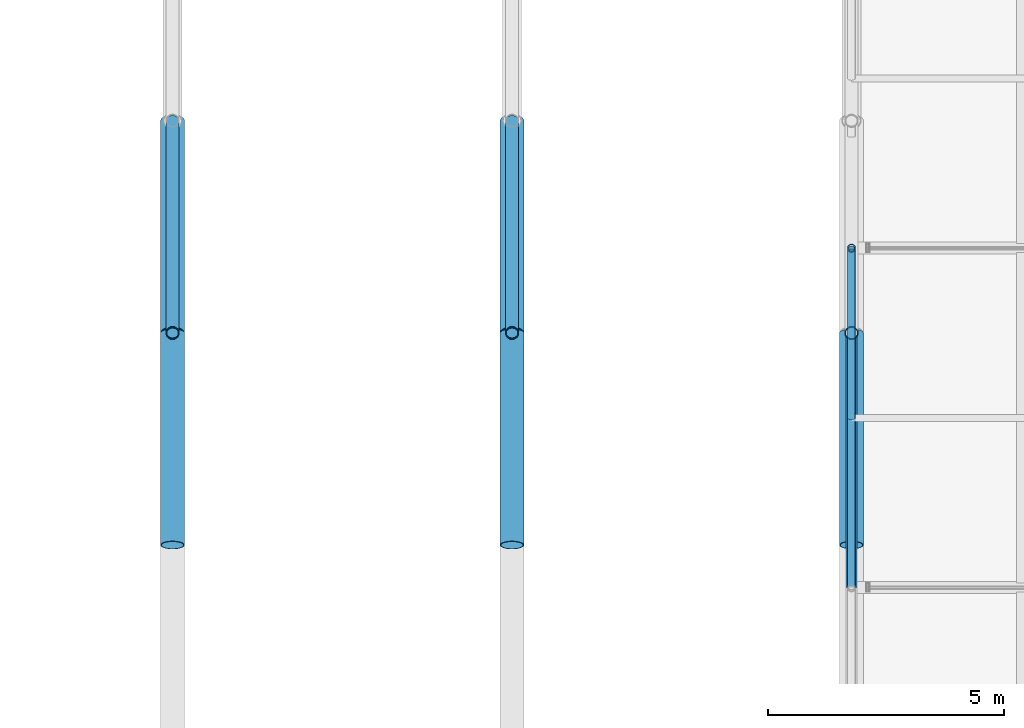
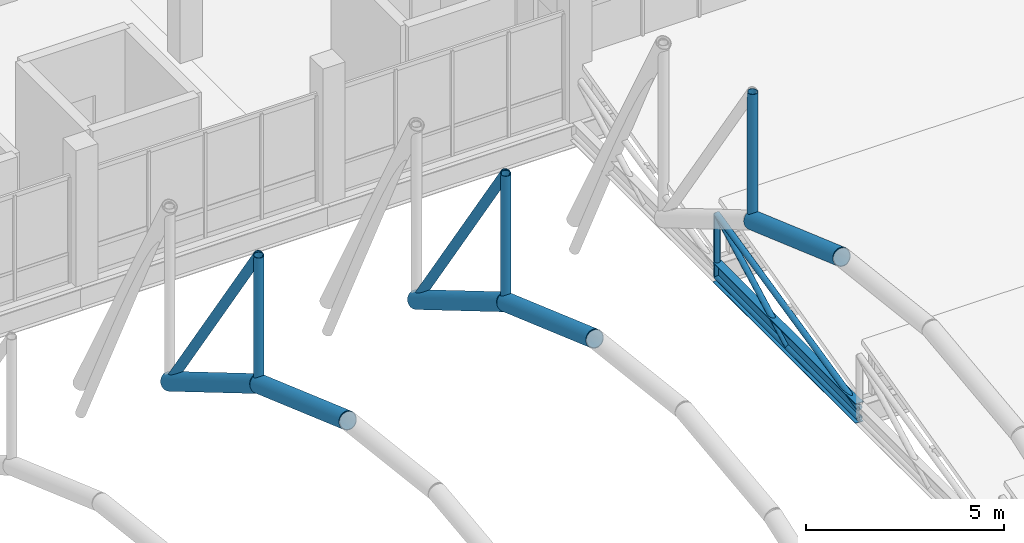
# One storey, part 43 of 144: 14 members, 1 beam.
"""IFC4 building model written with IfcOpenShell, lengths in metres."""

from ifc_helpers import new_model, si_unit, direction, frame, origin, origin_2d, place, context, subcontext, project, spatial, hollow_circle, i_section, extrude, material, material_profile, profile_set, type_object, element, save


model = new_model("IFC4")

# Units and contexts
model_context = context("Model", 3, precision=1e-05, world=origin(), true_north=direction((0.0, 1.0)))
body_context = subcontext(model_context, "Body", "Model", "MODEL_VIEW")
ifc_project = project(units=[si_unit("LENGTHUNIT", "METRE"), si_unit("AREAUNIT", "SQUARE_METRE"), si_unit("VOLUMEUNIT", "CUBIC_METRE"), si_unit("PLANEANGLEUNIT", "RADIAN"), si_unit("MASSUNIT", "GRAM", prefix="KILO")], contexts=[model_context])

# Site, building, storey
site_placement = place(None, origin())
site = spatial("IfcSite", under=ifc_project, at=site_placement, CompositionType="ELEMENT")
building_placement = place(site_placement, origin())
building = spatial("IfcBuilding", under=site, at=building_placement, Name="Yarey Park Central Fire Station", CompositionType="ELEMENT")
storey_placement = place(building_placement, frame((0.0, 0.0, 10.199951171875)))
storey = spatial("IfcBuildingStorey", under=building, at=storey_placement, Name="L03", CompositionType="ELEMENT", Elevation=10.199951171875)

# Beam
ifc_material_1 = material(Name="Steel ASTM A992 Gr. 50", Category="steel")
ifc_material_profile_1 = material_profile(ifc_material_1, i_section(OverallWidth=0.22900390625, OverallDepth=0.612060546875, WebThickness=0.011962890625, FlangeThickness=0.01953125, at=origin_2d()), Name="W610x125")
ifc_profile_set_1 = profile_set([ifc_material_profile_1], Name="Steel ASTM A992 Gr. 50")
beam_type = type_object("IfcBeamType", Name="STR_BM_W610", PredefinedType="BEAM", material=ifc_profile_set_1)
beam_placement = place(storey_placement, frame((136.800048828125, 79.199951171875, -0.48583984375), z_axis=(0.0, 1.0, 0.0), x_axis=(-1.0, 0.0, 0.0)))
element("IfcBeam", 1, at=beam_placement, inside=storey, type_object=beam_type, Name="BMY L03 X1368 Y792", PredefinedType="BEAM", context=body_context, shape_type="SweptSolid", body=[
    extrude(i_section(OverallWidth=0.22900390625, OverallDepth=0.612060546875, WebThickness=0.011962890625, FlangeThickness=0.01953125, at=origin_2d()), origin(), (0.0, 0.0, 1.0), 7.199951171875),
])

# Members
ifc_material_2 = material(Name="Steel ASTM A500 Gr. C", Category="steel")
ifc_material_profile_2 = material_profile(ifc_material_2, hollow_circle(Radius=0.084228515625, WallThickness=0.008056640625, at=origin_2d()), Name="CHS 168.3x8")
ifc_profile_set_2 = profile_set([ifc_material_profile_2], Name="Steel ASTM A500 Gr. C")
member_type_1 = type_object("IfcMemberType", Name="STR_CHORD_CHS168", PredefinedType="CHORD", material=ifc_profile_set_2)
member_1_placement = place(storey_placement, frame((136.800048828125, 79.199951171875, -0.64990234375), z_axis=(0.0, 1.0, 0.0), x_axis=(-1.0, 0.0, 0.0)))
element("IfcMember", 2, at=member_1_placement, inside=storey, type_object=member_type_1, Name="SAW_T1_B6_BC", PredefinedType="CHORD", context=body_context, shape_type="SweptSolid", body=[
    extrude(hollow_circle(Radius=0.084228515625, WallThickness=0.008056640625, at=origin_2d()), origin(), (0.0, 0.0, 1.0), 7.199951171875),
])
member_2_placement = place(storey_placement, frame((136.800048828125, 79.199951171875, -0.349853515625), z_axis=(0.0, 0.975464150349, 0.220158332533), x_axis=(-1.0, 0.0, 0.0)))
element("IfcMember", 3, at=member_2_placement, inside=storey, type_object=member_type_1, Name="SAW_T1_B6_TC", PredefinedType="CHORD", context=body_context, shape_type="SweptSolid", body=[
    extrude(hollow_circle(Radius=0.084228515625, WallThickness=0.008056640625, at=origin_2d()), origin(), (0.0, 0.0, 1.0), 7.381103515625),
])
ifc_material_profile_3 = material_profile(ifc_material_2, hollow_circle(Radius=0.25390625, WallThickness=0.02001953125, at=origin_2d()), Name="CHS 508x20")
ifc_profile_set_3 = profile_set([ifc_material_profile_3], Name="Steel ASTM A500 Gr. C")
member_type_2 = type_object("IfcMemberType", Name="STR_CHORD_CHS508", PredefinedType="CHORD", material=ifc_profile_set_3)
member_3_placement = place(storey_placement, frame((122.39990234375, 80.10009765625, 3.768798828125), z_axis=(0.0, 0.942627225161, -0.333847142245), x_axis=(-1.0, 0.0, 0.0)))
element("IfcMember", 4, at=member_3_placement, inside=storey, type_object=member_type_2, Name="Arched Roof Truss ART_10 Bottom Chord 6", PredefinedType="CHORD", context=body_context, shape_type="SweptSolid", body=[
    extrude(hollow_circle(Radius=0.25390625, WallThickness=0.02001953125, at=origin_2d()), origin(), (0.0, 0.0, 1.0), 4.77392578125),
])
member_4_placement = place(storey_placement, frame((122.39990234375, 84.60009765625, 2.175048828125), z_axis=(0.0, 0.8611645473, -0.508326295281), x_axis=(-1.0, 0.0, 0.0)))
element("IfcMember", 5, at=member_4_placement, inside=storey, type_object=member_type_2, Name="Arched Roof Truss ART_10 Bottom Chord 7", PredefinedType="CHORD", context=body_context, shape_type="SweptSolid", body=[
    extrude(hollow_circle(Radius=0.25390625, WallThickness=0.02001953125, at=origin_2d()), origin(), (0.0, 0.0, 1.0), 5.2255859375),
])
member_5_placement = place(storey_placement, frame((129.60009765625, 80.10009765625, 3.768798828125), z_axis=(0.0, 0.942627225161, -0.333847142245), x_axis=(-1.0, 0.0, 0.0)))
element("IfcMember", 6, at=member_5_placement, inside=storey, type_object=member_type_2, Name="Arched Roof Truss ART_11 Bottom Chord 6", PredefinedType="CHORD", context=body_context, shape_type="SweptSolid", body=[
    extrude(hollow_circle(Radius=0.25390625, WallThickness=0.02001953125, at=origin_2d()), origin(), (0.0, 0.0, 1.0), 4.77392578125),
])
member_6_placement = place(storey_placement, frame((129.60009765625, 84.60009765625, 2.175048828125), z_axis=(0.0, 0.8611645473, -0.508326295281), x_axis=(-1.0, 0.0, 0.0)))
element("IfcMember", 7, at=member_6_placement, inside=storey, type_object=member_type_2, Name="Arched Roof Truss ART_11 Bottom Chord 7", PredefinedType="CHORD", context=body_context, shape_type="SweptSolid", body=[
    extrude(hollow_circle(Radius=0.25390625, WallThickness=0.02001953125, at=origin_2d()), origin(), (0.0, 0.0, 1.0), 5.2255859375),
])
member_7_placement = place(storey_placement, frame((136.800048828125, 80.10009765625, 3.768798828125), z_axis=(0.0, 0.942627225161, -0.333847142245), x_axis=(-1.0, 0.0, 0.0)))
element("IfcMember", 8, at=member_7_placement, inside=storey, type_object=member_type_2, Name="Arched Roof Truss ART_12 Bottom Chord 6", PredefinedType="CHORD", context=body_context, shape_type="SweptSolid", body=[
    extrude(hollow_circle(Radius=0.25390625, WallThickness=0.02001953125, at=origin_2d()), origin(), (0.0, 0.0, 1.0), 4.77392578125),
])
ifc_material_profile_4 = material_profile(ifc_material_2, hollow_circle(Radius=0.084228515625, WallThickness=0.008056640625, at=origin_2d()), Name="CHS 168.3x8")
ifc_profile_set_4 = profile_set([ifc_material_profile_4], Name="Steel ASTM A500 Gr. C")
member_type_3 = type_object("IfcMemberType", Name="STR_WEB_CHS168", PredefinedType="BRACE", material=ifc_profile_set_4)
member_8_placement = place(storey_placement, frame((136.800048828125, 86.39990234375, -0.64990234375), z_axis=(0.0, 0.0, 1.0), x_axis=(1.0, 0.0, 0.0)))
element("IfcMember", 9, at=member_8_placement, inside=storey, type_object=member_type_3, Name="SAW_T1_B6_VT", PredefinedType="BRACE", context=body_context, shape_type="SweptSolid", body=[
    extrude(hollow_circle(Radius=0.084228515625, WallThickness=0.008056640625, at=origin_2d()), origin(), (0.0, 0.0, 1.0), 1.925048828125),
])
member_9_placement = place(storey_placement, frame((136.800048828125, 82.800048828125, -0.64990234375), z_axis=(0.0, 0.8818309127, 0.471565733919), x_axis=(-1.0, 0.0, 0.0)))
element("IfcMember", 10, at=member_9_placement, inside=storey, type_object=member_type_3, Name="SAW_T1_B6_DG", PredefinedType="BRACE", context=body_context, shape_type="SweptSolid", body=[
    extrude(hollow_circle(Radius=0.084228515625, WallThickness=0.008056640625, at=origin_2d()), origin(), (0.0, 0.0, 1.0), 4.082275390625),
])
ifc_material_profile_5 = material_profile(ifc_material_2, hollow_circle(Radius=0.136474609375, WallThickness=0.012451171875, at=origin_2d()), Name="CHS 273x12.5")
ifc_profile_set_5 = profile_set([ifc_material_profile_5], Name="Steel ASTM A500 Gr. C")
member_type_4 = type_object("IfcMemberType", Name="STR_WEB_CHS273", PredefinedType="BRACE", material=ifc_profile_set_5)
member_10_placement = place(storey_placement, frame((122.39990234375, 84.60009765625, 6.14013671875), z_axis=(0.0, 0.562095632178, -0.82707224611), x_axis=(-1.0, 0.0, 0.0)))
element("IfcMember", 11, at=member_10_placement, inside=storey, type_object=member_type_4, Name="Arched Roof Truss ART_10 Diagonal 7", PredefinedType="BRACE", context=body_context, shape_type="SweptSolid", body=[
    extrude(hollow_circle(Radius=0.136474609375, WallThickness=0.012451171875, at=origin_2d()), origin(), (0.0, 0.0, 1.0), 8.005859375),
])
member_11_placement = place(storey_placement, frame((122.39990234375, 84.60009765625, 2.175048828125), z_axis=(0.0, 0.0, 1.0), x_axis=(1.0, 0.0, 0.0)))
element("IfcMember", 12, at=member_11_placement, inside=storey, type_object=member_type_4, Name="Arched Roof Truss ART_10 Vertical 7", PredefinedType="BRACE", context=body_context, shape_type="SweptSolid", body=[
    extrude(hollow_circle(Radius=0.136474609375, WallThickness=0.012451171875, at=origin_2d()), origin(), (0.0, 0.0, 1.0), 3.965087890625),
])
member_12_placement = place(storey_placement, frame((129.60009765625, 84.60009765625, 6.14013671875), z_axis=(0.0, 0.562095632178, -0.82707224611), x_axis=(-1.0, 0.0, 0.0)))
element("IfcMember", 13, at=member_12_placement, inside=storey, type_object=member_type_4, Name="Arched Roof Truss ART_11 Diagonal 7", PredefinedType="BRACE", context=body_context, shape_type="SweptSolid", body=[
    extrude(hollow_circle(Radius=0.136474609375, WallThickness=0.012451171875, at=origin_2d()), origin(), (0.0, 0.0, 1.0), 8.005859375),
])
for number, where, z_axis, x_axis, name in (
    (14, (129.60009765625, 84.60009765625, 2.175048828125), (0.0, 0.0, 1.0), (1.0, 0.0, 0.0), "Arched Roof Truss ART_11 Vertical 7"),
    (15, (136.800048828125, 84.60009765625, 2.175048828125), (0.0, 0.0, 1.0), (1.0, 0.0, 0.0), "Arched Roof Truss ART_12 Vertical 7"),
):
    element("IfcMember", number, at=place(storey_placement, frame(where, z_axis=z_axis, x_axis=x_axis)), inside=storey, type_object=member_type_4, Name=name, PredefinedType="BRACE", context=body_context, shape_type="SweptSolid", body=[
        extrude(hollow_circle(Radius=0.136474609375, WallThickness=0.012451171875, at=origin_2d()), origin(), (0.0, 0.0, 1.0), 3.965087890625),
    ])

save(model, "model.ifc")
